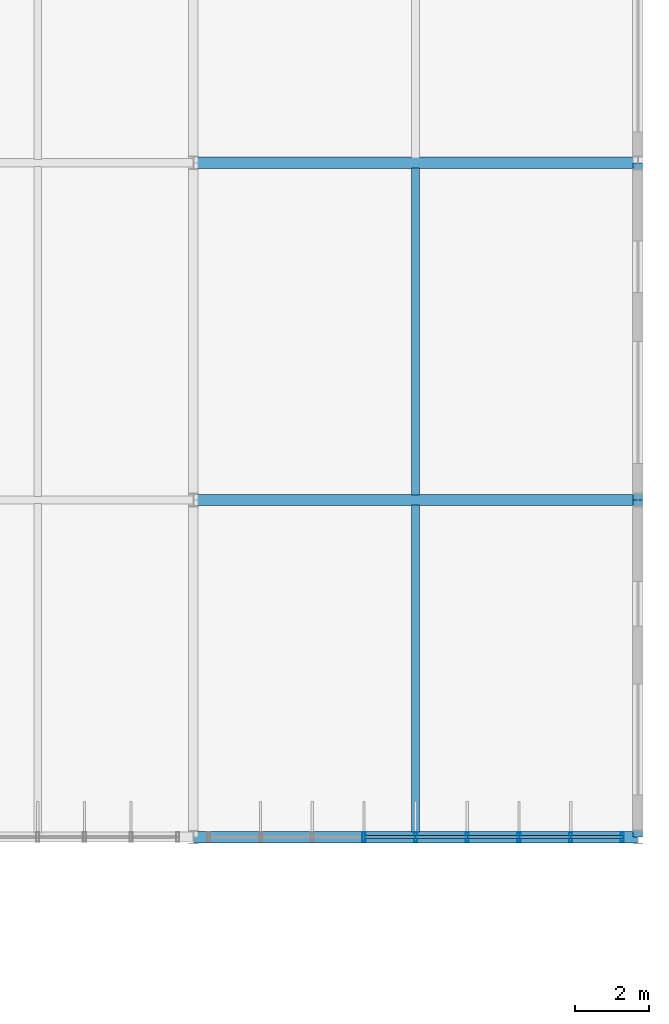
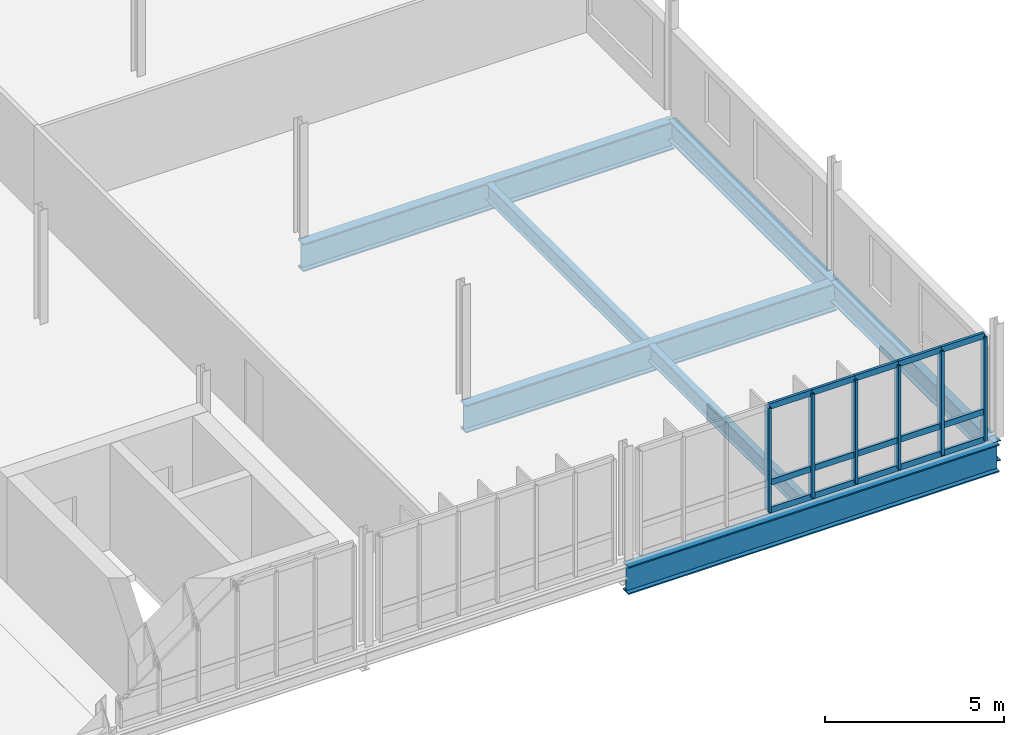
# One storey, part 35 of 61: 21 members, 7 beams, 1 element without a shape of its own.
"""IFC4 building model written with IfcOpenShell, lengths in metres."""

from ifc_helpers import new_model, si_unit, derived_unit, direction, frame, origin, origin_2d, place, context, subcontext, project, spatial, hollow_rectangle, i_section, extrude, material, layer, layer_set, material_profile, profile_set, type_object, element, aggregate, save


model = new_model("IFC4")

# Units and contexts
model_context = context("Model", 3, precision=1e-05, world=origin(), true_north=direction((0.0, 1.0)))
body_context = subcontext(model_context, "Body", "Model", "MODEL_VIEW")
ifc_project = project(units=[si_unit("LENGTHUNIT", "METRE"), si_unit("AREAUNIT", "SQUARE_METRE"), si_unit("VOLUMEUNIT", "CUBIC_METRE"), si_unit("PLANEANGLEUNIT", "RADIAN"), si_unit("MASSUNIT", "GRAM", prefix="KILO"), derived_unit("THERMALTRANSMITTANCEUNIT", [(si_unit("MASSUNIT", "GRAM", prefix="KILO"), 1), (si_unit("TIMEUNIT", "SECOND"), -3), (si_unit("THERMODYNAMICTEMPERATUREUNIT", "KELVIN"), -1)])], contexts=[model_context])

# Site, building, storey
site_placement = place(None, origin())
site = spatial("IfcSite", under=ifc_project, at=site_placement, CompositionType="ELEMENT")
building_placement = place(site_placement, origin())
building = spatial("IfcBuilding", under=site, at=building_placement, Name="Makaiwela Harbour Ferry Terminal", CompositionType="ELEMENT")
storey_placement = place(building_placement, frame((0.0, 0.0, 13.800048828125)))
storey = spatial("IfcBuildingStorey", under=building, at=storey_placement, Name="L03", CompositionType="ELEMENT", Elevation=13.800048828125)

# Curtain wall, members
ifc_material_1 = material(Name="Marine anodised aluminium 6063-T6", Category="aluminium")
ifc_layer = layer(ifc_material_1, 0.199951171875)
ifc_layer_set = layer_set([ifc_layer], Name="Marine anodised aluminium 6063-T6")
curtain_wall_type = type_object("IfcCurtainWallType", Name="ENV-CW-19", PredefinedType="USERDEFINED", material=ifc_layer_set)
curtain_wall_placement = place(storey_placement, origin())
curtain_wall = element("IfcCurtainWall", 1, at=curtain_wall_placement, inside=storey, type_object=curtain_wall_type, Name="Unitised Curtain Wall CWA-157", ObjectType="UNITIZED CURTAIN WALL", PredefinedType="USERDEFINED")
ifc_material_profile_1 = material_profile(ifc_material_1, hollow_rectangle(XDim=0.0849609375, YDim=0.25, WallThickness=0.0048828125, at=origin_2d()), Name="CWM-250X85")
ifc_profile_set_1 = profile_set([ifc_material_profile_1], Name="Marine anodised aluminium 6063-T6")
member_type_1 = type_object("IfcMemberType", Name="CW-MUL-250", PredefinedType="MULLION", material=ifc_profile_set_1)
member_1_placement = place(storey_placement, frame((166.97998046875, 49.39990234375, 0.0), z_axis=(0.0, 0.0, 1.0), x_axis=(1.0, 0.0, 0.0)))
member_1 = element("IfcMember", 2, at=member_1_placement, type_object=member_type_1, Name="Curtain Wall Mullion CWA-157-1", PredefinedType="MULLION", context=body_context, shape_type="SweptSolid", body=[
    extrude(hollow_rectangle(XDim=0.0849609375, YDim=0.25, WallThickness=0.0048828125, at=origin_2d()), origin(), (0.0, 0.0, 1.0), 3.550048828125),
])
member_2_placement = place(storey_placement, frame((165.5849609375, 49.39990234375, 0.0), z_axis=(0.0, 0.0, 1.0), x_axis=(1.0, 0.0, 0.0)))
member_2 = element("IfcMember", 3, at=member_2_placement, type_object=member_type_1, Name="Curtain Wall Mullion CWA-157-2", PredefinedType="MULLION", context=body_context, shape_type="SweptSolid", body=[
    extrude(hollow_rectangle(XDim=0.0849609375, YDim=0.25, WallThickness=0.0048828125, at=origin_2d()), origin(), (0.0, 0.0, 1.0), 3.550048828125),
])
member_3_placement = place(storey_placement, frame((164.18994140625, 49.39990234375, 0.0), z_axis=(0.0, 0.0, 1.0), x_axis=(1.0, 0.0, 0.0)))
member_3 = element("IfcMember", 4, at=member_3_placement, type_object=member_type_1, Name="Curtain Wall Mullion CWA-157-3", PredefinedType="MULLION", context=body_context, shape_type="SweptSolid", body=[
    extrude(hollow_rectangle(XDim=0.0849609375, YDim=0.25, WallThickness=0.0048828125, at=origin_2d()), origin(), (0.0, 0.0, 1.0), 3.550048828125),
])
member_4_placement = place(storey_placement, frame((162.794921875, 49.39990234375, 0.0), z_axis=(0.0, 0.0, 1.0), x_axis=(1.0, 0.0, 0.0)))
member_4 = element("IfcMember", 5, at=member_4_placement, type_object=member_type_1, Name="Curtain Wall Mullion CWA-157-4", PredefinedType="MULLION", context=body_context, shape_type="SweptSolid", body=[
    extrude(hollow_rectangle(XDim=0.0849609375, YDim=0.25, WallThickness=0.0048828125, at=origin_2d()), origin(), (0.0, 0.0, 1.0), 3.550048828125),
])
member_5_placement = place(storey_placement, frame((161.39990234375, 49.39990234375, 0.0), z_axis=(0.0, 0.0, 1.0), x_axis=(1.0, 0.0, 0.0)))
member_5 = element("IfcMember", 6, at=member_5_placement, type_object=member_type_1, Name="Curtain Wall Mullion CWA-157-5", PredefinedType="MULLION", context=body_context, shape_type="SweptSolid", body=[
    extrude(hollow_rectangle(XDim=0.0849609375, YDim=0.25, WallThickness=0.0048828125, at=origin_2d()), origin(), (0.0, 0.0, 1.0), 3.550048828125),
])
member_6_placement = place(storey_placement, frame((160.0048828125, 49.39990234375, 0.0), z_axis=(0.0, 0.0, 1.0), x_axis=(1.0, 0.0, 0.0)))
member_6 = element("IfcMember", 7, at=member_6_placement, type_object=member_type_1, Name="Curtain Wall Mullion CWA-157-6", PredefinedType="MULLION", context=body_context, shape_type="SweptSolid", body=[
    extrude(hollow_rectangle(XDim=0.0849609375, YDim=0.25, WallThickness=0.0048828125, at=origin_2d()), origin(), (0.0, 0.0, 1.0), 3.550048828125),
])
ifc_material_profile_2 = material_profile(ifc_material_1, hollow_rectangle(XDim=0.0849609375, YDim=0.199951171875, WallThickness=0.0048828125, at=origin_2d()), Name="CWT-200X85")
ifc_profile_set_2 = profile_set([ifc_material_profile_2], Name="Marine anodised aluminium 6063-T6")
member_type_2 = type_object("IfcMemberType", Name="CW-TRN-200", PredefinedType="USERDEFINED", material=ifc_profile_set_2)
member_7_placement = place(storey_placement, frame((166.97998046875, 49.39990234375, 0.0), z_axis=(-1.0, 0.0, 0.0), x_axis=(0.0, -1.0, 0.0)))
member_7 = element("IfcMember", 8, at=member_7_placement, type_object=member_type_2, Name="Curtain Wall Transom CWA-157-1-1", ObjectType="TRANSOM", PredefinedType="USERDEFINED", context=body_context, shape_type="SweptSolid", body=[
    extrude(hollow_rectangle(XDim=0.0849609375, YDim=0.199951171875, WallThickness=0.0048828125, at=origin_2d()), origin(), (0.0, 0.0, 1.0), 1.39501953125),
])
member_8_placement = place(storey_placement, frame((166.97998046875, 49.39990234375, 0.949951171875), z_axis=(-1.0, 0.0, 0.0), x_axis=(0.0, -1.0, 0.0)))
member_8 = element("IfcMember", 9, at=member_8_placement, type_object=member_type_2, Name="Curtain Wall Transom CWA-157-1-2", ObjectType="TRANSOM", PredefinedType="USERDEFINED", context=body_context, shape_type="SweptSolid", body=[
    extrude(hollow_rectangle(XDim=0.0849609375, YDim=0.199951171875, WallThickness=0.0048828125, at=origin_2d()), origin(), (0.0, 0.0, 1.0), 1.39501953125),
])
member_9_placement = place(storey_placement, frame((166.97998046875, 49.39990234375, 3.550048828125), z_axis=(-1.0, 0.0, 0.0), x_axis=(0.0, -1.0, 0.0)))
member_9 = element("IfcMember", 10, at=member_9_placement, type_object=member_type_2, Name="Curtain Wall Transom CWA-157-1-3", ObjectType="TRANSOM", PredefinedType="USERDEFINED", context=body_context, shape_type="SweptSolid", body=[
    extrude(hollow_rectangle(XDim=0.0849609375, YDim=0.199951171875, WallThickness=0.0048828125, at=origin_2d()), origin(), (0.0, 0.0, 1.0), 1.39501953125),
])
member_10_placement = place(storey_placement, frame((165.5849609375, 49.39990234375, 0.0), z_axis=(-1.0, 0.0, 0.0), x_axis=(0.0, -1.0, 0.0)))
member_10 = element("IfcMember", 11, at=member_10_placement, type_object=member_type_2, Name="Curtain Wall Transom CWA-157-2-1", ObjectType="TRANSOM", PredefinedType="USERDEFINED", context=body_context, shape_type="SweptSolid", body=[
    extrude(hollow_rectangle(XDim=0.0849609375, YDim=0.199951171875, WallThickness=0.0048828125, at=origin_2d()), origin(), (0.0, 0.0, 1.0), 1.39501953125),
])
member_11_placement = place(storey_placement, frame((165.5849609375, 49.39990234375, 0.949951171875), z_axis=(-1.0, 0.0, 0.0), x_axis=(0.0, -1.0, 0.0)))
member_11 = element("IfcMember", 12, at=member_11_placement, type_object=member_type_2, Name="Curtain Wall Transom CWA-157-2-2", ObjectType="TRANSOM", PredefinedType="USERDEFINED", context=body_context, shape_type="SweptSolid", body=[
    extrude(hollow_rectangle(XDim=0.0849609375, YDim=0.199951171875, WallThickness=0.0048828125, at=origin_2d()), origin(), (0.0, 0.0, 1.0), 1.39501953125),
])
member_12_placement = place(storey_placement, frame((165.5849609375, 49.39990234375, 3.550048828125), z_axis=(-1.0, 0.0, 0.0), x_axis=(0.0, -1.0, 0.0)))
member_12 = element("IfcMember", 13, at=member_12_placement, type_object=member_type_2, Name="Curtain Wall Transom CWA-157-2-3", ObjectType="TRANSOM", PredefinedType="USERDEFINED", context=body_context, shape_type="SweptSolid", body=[
    extrude(hollow_rectangle(XDim=0.0849609375, YDim=0.199951171875, WallThickness=0.0048828125, at=origin_2d()), origin(), (0.0, 0.0, 1.0), 1.39501953125),
])
member_13_placement = place(storey_placement, frame((164.18994140625, 49.39990234375, 0.0), z_axis=(-1.0, 0.0, 0.0), x_axis=(0.0, -1.0, 0.0)))
member_13 = element("IfcMember", 14, at=member_13_placement, type_object=member_type_2, Name="Curtain Wall Transom CWA-157-3-1", ObjectType="TRANSOM", PredefinedType="USERDEFINED", context=body_context, shape_type="SweptSolid", body=[
    extrude(hollow_rectangle(XDim=0.0849609375, YDim=0.199951171875, WallThickness=0.0048828125, at=origin_2d()), origin(), (0.0, 0.0, 1.0), 1.39501953125),
])
member_14_placement = place(storey_placement, frame((164.18994140625, 49.39990234375, 0.949951171875), z_axis=(-1.0, 0.0, 0.0), x_axis=(0.0, -1.0, 0.0)))
member_14 = element("IfcMember", 15, at=member_14_placement, type_object=member_type_2, Name="Curtain Wall Transom CWA-157-3-2", ObjectType="TRANSOM", PredefinedType="USERDEFINED", context=body_context, shape_type="SweptSolid", body=[
    extrude(hollow_rectangle(XDim=0.0849609375, YDim=0.199951171875, WallThickness=0.0048828125, at=origin_2d()), origin(), (0.0, 0.0, 1.0), 1.39501953125),
])
member_15_placement = place(storey_placement, frame((164.18994140625, 49.39990234375, 3.550048828125), z_axis=(-1.0, 0.0, 0.0), x_axis=(0.0, -1.0, 0.0)))
member_15 = element("IfcMember", 16, at=member_15_placement, type_object=member_type_2, Name="Curtain Wall Transom CWA-157-3-3", ObjectType="TRANSOM", PredefinedType="USERDEFINED", context=body_context, shape_type="SweptSolid", body=[
    extrude(hollow_rectangle(XDim=0.0849609375, YDim=0.199951171875, WallThickness=0.0048828125, at=origin_2d()), origin(), (0.0, 0.0, 1.0), 1.39501953125),
])
member_16_placement = place(storey_placement, frame((162.794921875, 49.39990234375, 0.0), z_axis=(-1.0, 0.0, 0.0), x_axis=(0.0, -1.0, 0.0)))
member_16 = element("IfcMember", 17, at=member_16_placement, type_object=member_type_2, Name="Curtain Wall Transom CWA-157-4-1", ObjectType="TRANSOM", PredefinedType="USERDEFINED", context=body_context, shape_type="SweptSolid", body=[
    extrude(hollow_rectangle(XDim=0.0849609375, YDim=0.199951171875, WallThickness=0.0048828125, at=origin_2d()), origin(), (0.0, 0.0, 1.0), 1.39501953125),
])
member_17_placement = place(storey_placement, frame((162.794921875, 49.39990234375, 0.949951171875), z_axis=(-1.0, 0.0, 0.0), x_axis=(0.0, -1.0, 0.0)))
member_17 = element("IfcMember", 18, at=member_17_placement, type_object=member_type_2, Name="Curtain Wall Transom CWA-157-4-2", ObjectType="TRANSOM", PredefinedType="USERDEFINED", context=body_context, shape_type="SweptSolid", body=[
    extrude(hollow_rectangle(XDim=0.0849609375, YDim=0.199951171875, WallThickness=0.0048828125, at=origin_2d()), origin(), (0.0, 0.0, 1.0), 1.39501953125),
])
member_18_placement = place(storey_placement, frame((162.794921875, 49.39990234375, 3.550048828125), z_axis=(-1.0, 0.0, 0.0), x_axis=(0.0, -1.0, 0.0)))
member_18 = element("IfcMember", 19, at=member_18_placement, type_object=member_type_2, Name="Curtain Wall Transom CWA-157-4-3", ObjectType="TRANSOM", PredefinedType="USERDEFINED", context=body_context, shape_type="SweptSolid", body=[
    extrude(hollow_rectangle(XDim=0.0849609375, YDim=0.199951171875, WallThickness=0.0048828125, at=origin_2d()), origin(), (0.0, 0.0, 1.0), 1.39501953125),
])
member_19_placement = place(storey_placement, frame((161.39990234375, 49.39990234375, 0.0), z_axis=(-1.0, 0.0, 0.0), x_axis=(0.0, -1.0, 0.0)))
member_19 = element("IfcMember", 20, at=member_19_placement, type_object=member_type_2, Name="Curtain Wall Transom CWA-157-5-1", ObjectType="TRANSOM", PredefinedType="USERDEFINED", context=body_context, shape_type="SweptSolid", body=[
    extrude(hollow_rectangle(XDim=0.0849609375, YDim=0.199951171875, WallThickness=0.0048828125, at=origin_2d()), origin(), (0.0, 0.0, 1.0), 1.39501953125),
])
member_20_placement = place(storey_placement, frame((161.39990234375, 49.39990234375, 0.949951171875), z_axis=(-1.0, 0.0, 0.0), x_axis=(0.0, -1.0, 0.0)))
member_20 = element("IfcMember", 21, at=member_20_placement, type_object=member_type_2, Name="Curtain Wall Transom CWA-157-5-2", ObjectType="TRANSOM", PredefinedType="USERDEFINED", context=body_context, shape_type="SweptSolid", body=[
    extrude(hollow_rectangle(XDim=0.0849609375, YDim=0.199951171875, WallThickness=0.0048828125, at=origin_2d()), origin(), (0.0, 0.0, 1.0), 1.39501953125),
])
member_21_placement = place(storey_placement, frame((161.39990234375, 49.39990234375, 3.550048828125), z_axis=(-1.0, 0.0, 0.0), x_axis=(0.0, -1.0, 0.0)))
member_21 = element("IfcMember", 22, at=member_21_placement, type_object=member_type_2, Name="Curtain Wall Transom CWA-157-5-3", ObjectType="TRANSOM", PredefinedType="USERDEFINED", context=body_context, shape_type="SweptSolid", body=[
    extrude(hollow_rectangle(XDim=0.0849609375, YDim=0.199951171875, WallThickness=0.0048828125, at=origin_2d()), origin(), (0.0, 0.0, 1.0), 1.39501953125),
])
aggregate(curtain_wall, [member_1, member_2, member_3, member_4, member_5, member_6, member_7, member_8, member_9, member_10, member_11, member_12, member_13, member_14, member_15, member_16, member_17, member_18, member_19, member_20, member_21])

# Beams
ifc_material_2 = material(Name="Steel ASTM A992 Grade 50", Category="steel")
ifc_material_profile_3 = material_profile(ifc_material_2, i_section(OverallWidth=0.2099609375, OverallDepth=0.537109375, WebThickness=0.010986328125, FlangeThickness=0.017333984375, at=origin_2d()), Name="W21X68")
ifc_profile_set_3 = profile_set([ifc_material_profile_3], Name="Steel ASTM A992 Grade 50")
beam_type_1 = type_object("IfcBeamType", Name="STR-BM-W21X68", PredefinedType="BEAM", material=ifc_profile_set_3)
for number, where, z_axis, x_axis, name in (
    (23, (161.39990234375, 49.537109375, -0.508544921875), (0.0, 1.0, 0.0), (-1.0, 0.0, 0.0), "Secondary floor beam 1659"),
    (24, (161.39990234375, 58.636962890625, -0.508544921875), (0.0, 1.0, 0.0), (-1.0, 0.0, 0.0), "Secondary floor beam 1660"),
):
    element("IfcBeam", number, at=place(storey_placement, frame(where, z_axis=z_axis, x_axis=x_axis)), inside=storey, type_object=beam_type_1, Name=name, PredefinedType="BEAM", context=body_context, shape_type="SweptSolid", body=[
        extrude(i_section(OverallWidth=0.2099609375, OverallDepth=0.537109375, WebThickness=0.010986328125, FlangeThickness=0.017333984375, at=origin_2d()), origin(), (0.0, 0.0, 1.0), 8.825927734375),
    ])
ifc_material_profile_4 = material_profile(ifc_material_2, i_section(OverallWidth=0.256103515625, OverallDepth=0.693115234375, WebThickness=0.014404296875, FlangeThickness=0.023681640625, at=origin_2d()), Name="W27X114")
ifc_profile_set_4 = profile_set([ifc_material_profile_4], Name="Steel ASTM A992 Grade 50")
beam_type_2 = type_object("IfcBeamType", Name="STR-GRD-W27X114", PredefinedType="USERDEFINED", material=ifc_profile_set_4)
for number, where, z_axis, x_axis, name in (
    (25, (167.39990234375, 49.39990234375, -0.586669921875), (0.0, 1.0, 0.0), (-1.0, 0.0, 0.0), "Primary Y girder 1628"),
    (26, (167.39990234375, 58.5, -0.586669921875), (0.0, 1.0, 0.0), (-1.0, 0.0, 0.0), "Primary Y girder 1629"),
):
    element("IfcBeam", number, at=place(storey_placement, frame(where, z_axis=z_axis, x_axis=x_axis)), inside=storey, type_object=beam_type_2, Name=name, ObjectType="GIRDER", PredefinedType="USERDEFINED", context=body_context, shape_type="SweptSolid", body=[
        extrude(i_section(OverallWidth=0.256103515625, OverallDepth=0.693115234375, WebThickness=0.014404296875, FlangeThickness=0.023681640625, at=origin_2d()), origin(), (0.0, 0.0, 1.0), 9.10009765625),
    ])
ifc_material_profile_5 = material_profile(ifc_material_2, i_section(OverallWidth=0.31005859375, OverallDepth=0.949951171875, WebThickness=0.0244140625, FlangeThickness=0.0439453125, at=origin_2d()), Name="W36X256")
ifc_profile_set_5 = profile_set([ifc_material_profile_5], Name="Steel ASTM A992 Grade 50")
beam_type_3 = type_object("IfcBeamType", Name="STR-GRD-W36X256", PredefinedType="USERDEFINED", material=ifc_profile_set_5)
for number, where, z_axis, x_axis, name in (
    (27, (155.39990234375, 49.39990234375, -0.715087890625), (1.0, 0.0, 0.0), (0.0, 1.0, 0.0), "Primary X girder 1564"),
    (28, (155.39990234375, 58.5, -0.715087890625), (1.0, 0.0, 0.0), (0.0, 1.0, 0.0), "Primary X girder 1576"),
    (29, (155.39990234375, 67.60009765625, -0.715087890625), (1.0, 0.0, 0.0), (0.0, 1.0, 0.0), "Primary X girder 1588"),
):
    element("IfcBeam", number, at=place(storey_placement, frame(where, z_axis=z_axis, x_axis=x_axis)), inside=storey, type_object=beam_type_3, Name=name, ObjectType="GIRDER", PredefinedType="USERDEFINED", context=body_context, shape_type="SweptSolid", body=[
        extrude(i_section(OverallWidth=0.31005859375, OverallDepth=0.949951171875, WebThickness=0.0244140625, FlangeThickness=0.0439453125, at=origin_2d()), origin(), (0.0, 0.0, 1.0), 12.0),
    ])

save(model, "model.ifc")
